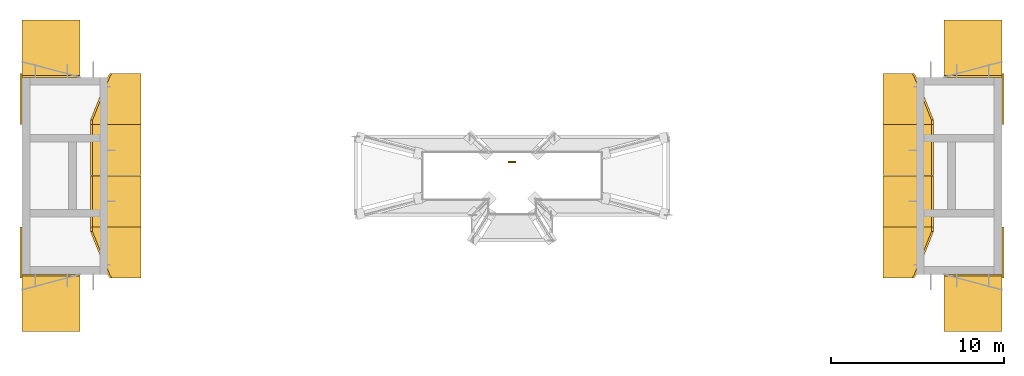
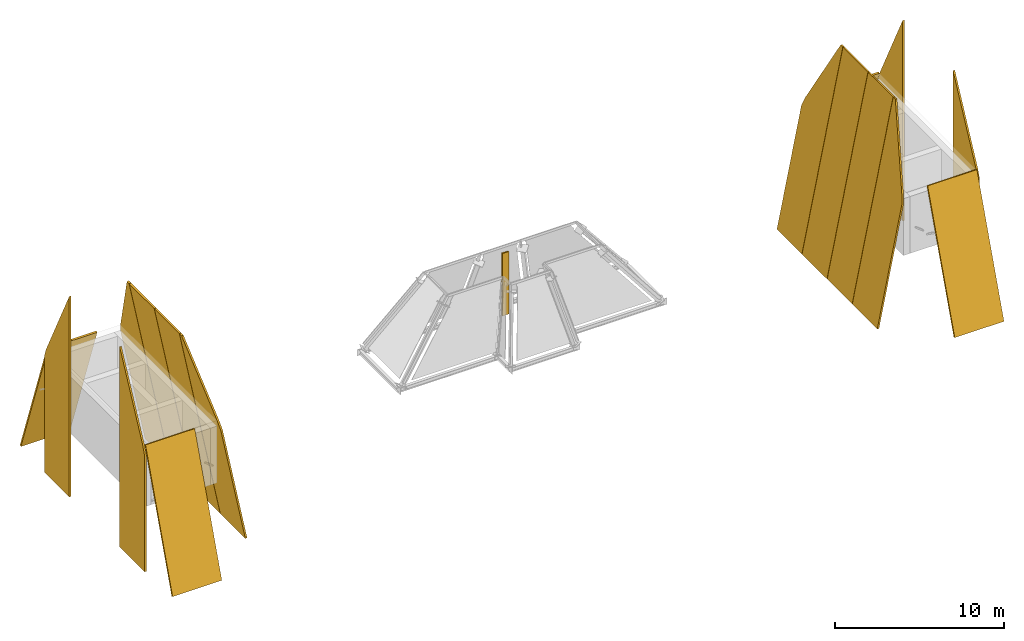
# One storey, part 5 of 5: 16 coverings, 1 railing.
"""IFC4 building model written with IfcOpenShell, lengths in metres."""

from ifc_helpers import new_model, si_unit, direction, frame, origin, origin_2d, place, context, subcontext, project, spatial, polyline, rectangle, outline, extrude, material, layer, layer_set, type_object, element, save


model = new_model("IFC4")

# Units and contexts
model_context = context("Model", 3, precision=1e-05, world=origin(), true_north=direction((0.0, 1.0)))
body_context = subcontext(model_context, "Body", "Model", "MODEL_VIEW")
ifc_project = project(units=[si_unit("LENGTHUNIT", "METRE"), si_unit("AREAUNIT", "SQUARE_METRE"), si_unit("VOLUMEUNIT", "CUBIC_METRE"), si_unit("PLANEANGLEUNIT", "RADIAN"), si_unit("MASSUNIT", "GRAM", prefix="KILO")], contexts=[model_context])

# Site, building, storey
site_placement = place(None, origin())
site = spatial("IfcSite", under=ifc_project, at=site_placement, CompositionType="ELEMENT")
building_placement = place(site_placement, origin())
building = spatial("IfcBuilding", under=site, at=building_placement, Name="Perihelion Cross Residences", CompositionType="ELEMENT")
storey_placement = place(building_placement, frame((0.0, 0.0, 316.800048828125)))
storey = spatial("IfcBuildingStorey", under=building, at=storey_placement, Name="L80", CompositionType="ELEMENT", Elevation=316.800048828125)

# Railing
ifc_material_1 = material(Name="Galvanised steel S355", Category="steel")
railing_type = type_object("IfcRailingType", Name="Fixed access ladder", PredefinedType="NOTDEFINED", material=ifc_material_1)
railing_placement = place(storey_placement, frame((0.0, 0.800048828125, 0.0), z_axis=(0.0, 0.0, 1.0), x_axis=(1.0, 0.0, 0.0)))
element("IfcRailing", 1, at=railing_placement, inside=storey, type_object=railing_type, Name="Fixed access ladder", PredefinedType="NOTDEFINED", context=body_context, shape_type="SweptSolid", body=[
    extrude(rectangle(XDim=0.449951171875, YDim=0.10009765625, at=origin_2d()), origin(), (0.0, 0.0, 1.0), 4.5),
])

# Coverings
ifc_material_2 = material(Name="Bronze anodised aluminium", Category="aluminium")
ifc_layer_1 = layer(ifc_material_2, 0.1201171875)
ifc_layer_set_1 = layer_set([ifc_layer_1], Name="Pylon facet panel, crown face")
covering_type_1 = type_object("IfcCoveringType", Name="Pylon facet panel, crown face", PredefinedType="CLADDING", material=ifc_layer_set_1)
covering_1_placement = place(storey_placement, frame((24.271728515625, -3.226318359375, 9.470947265625), z_axis=(-0.980583794769, -3.326446e-06, 0.196100539074), x_axis=(-3.261859e-06, 0.999999999994, 6.52318e-07)))
element("IfcCovering", 2, at=covering_1_placement, inside=storey, type_object=covering_type_1, Name="Pylon facet panel, east stack, crown face", PredefinedType="CLADDING", context=body_context, shape_type="SweptSolid", body=[
    extrude(outline(polyline([(0.0, 0.0), (0.24975585937361822, 0.0), (0.24975585948906803, 14.223686589503966), (-2.6970214842446287, 14.223686589503966), (-2.6970214845370566, 5.686075162845981), (-2.473632812219374, 5.04548976708438), (0.0, 0.0)])), origin(), (0.0, 0.0, -1.0), 0.1201171875),
])
for number, where, z_axis, x_axis, name in (
    (3, (24.271728515625, -0.010009765625, 9.470947265625), (-0.980583316274, 0.0, 0.196102931759), (-0.196102931759, 0.0, -0.980583316274), "Pylon facet panel, east stack, crown face"),
    (4, (24.271728515625, 2.956787109375, 9.470947265625), (-0.980583316274, 0.0, 0.196102931759), (-0.196102931759, 0.0, -0.980583316274), "Pylon facet panel, east stack, crown face"),
):
    element("IfcCovering", number, at=place(storey_placement, frame(where, z_axis=z_axis, x_axis=x_axis)), inside=storey, type_object=covering_type_1, Name=name, PredefinedType="CLADDING", context=body_context, shape_type="SweptSolid", body=[
        extrude(outline(polyline([(0.0, 0.0), (14.223686589546308, 0.0), (14.223686589546308, 2.94677734375), (0.0, 2.94677734375), (0.0, 0.0)])), origin(), (0.0, 0.0, -1.0), 0.1201171875),
    ])
covering_2_placement = place(storey_placement, frame((24.271728515625, 3.226318359375, 9.470947265625), z_axis=(-0.980583794769, 3.326446e-06, 0.196100539074), x_axis=(-0.176076425698, 0.440207939445, -0.880462413941)))
element("IfcCovering", 5, at=covering_2_placement, inside=storey, type_object=covering_type_1, Name="Pylon facet panel, east stack, crown face", PredefinedType="CLADDING", context=body_context, shape_type="SweptSolid", body=[
    extrude(outline(polyline([(0.0, 0.0), (5.619237161701, 0.0), (6.292753601757491, 0.0814110137299342), (13.958639530441536, 3.8397353479252856), (12.661444747945865, 6.485634516413803), (-0.10994451221980707, 0.2242547513971627), (0.0, 0.0)])), origin(), (0.0, 0.0, -1.0), 0.1201171875),
])
covering_3_placement = place(storey_placement, frame((-23.2822265625, -5.699951171875, 4.5234375), z_axis=(0.980583794769, -3.326446e-06, 0.196100539074), x_axis=(0.185163503509, -0.329278393972, -0.925899679356)))
element("IfcCovering", 6, at=covering_3_placement, inside=storey, type_object=covering_type_1, Name="Pylon facet panel, west stack, crown face", PredefinedType="CLADDING", context=body_context, shape_type="SweptSolid", body=[
    extrude(outline(polyline([(0.0, 0.0), (0.6784188589528621, 0.0), (8.739912318879135, 2.8112509792202633), (7.769602207735489, 5.593695049054306), (-5.6608704020090785, 0.9101423723636872), (-5.578631193748934, 0.6743146769668169), (0.0, 0.0)])), origin(), (0.0, 0.0, -1.0), 0.1201171875),
])
for number, where, z_axis, x_axis, name in (
    (7, (-24.271728515625, -2.956787109375, 9.470947265625), (0.980583316274, 0.0, 0.196102931759), (0.196102931759, 0.0, -0.980583316274), "Pylon facet panel, west stack, crown face"),
    (8, (-24.271728515625, 0.010009765625, 9.470947265625), (0.980583316274, 0.0, 0.196102931759), (0.196102931759, 0.0, -0.980583316274), "Pylon facet panel, west stack, crown face"),
):
    element("IfcCovering", number, at=place(storey_placement, frame(where, z_axis=z_axis, x_axis=x_axis)), inside=storey, type_object=covering_type_1, Name=name, PredefinedType="CLADDING", context=body_context, shape_type="SweptSolid", body=[
        extrude(outline(polyline([(0.0, 0.0), (14.223686589546308, 0.0), (14.223686589546308, 2.94677734375), (0.0, 2.94677734375), (0.0, 0.0)])), origin(), (0.0, 0.0, -1.0), 0.1201171875),
    ])
covering_4_placement = place(storey_placement, frame((-24.271728515625, 2.9765625, 9.470947265625), z_axis=(0.980583794769, 3.326446e-06, 0.196100539074), x_axis=(0.196100539075, -8e-12, -0.980583794775)))
element("IfcCovering", 9, at=covering_4_placement, inside=storey, type_object=covering_type_1, Name="Pylon facet panel, west stack, crown face", PredefinedType="CLADDING", context=body_context, shape_type="SweptSolid", body=[
    extrude(outline(polyline([(0.0, 0.0), (14.223686589546308, 0.0), (14.223686589480048, 2.9467773437336966), (5.686075162822062, 2.9467773439568266), (5.045489767062275, 2.723388671633945), (-2.0272008131763407e-12, 0.24975585937361822), (0.0, 0.0)])), origin(), (0.0, 0.0, -1.0), 0.1201171875),
])
ifc_material_3 = material(Name="Bronze anodised aluminium", Category="aluminium")
ifc_layer_2 = layer(ifc_material_3, 0.1201171875)
ifc_layer_set_2 = layer_set([ifc_layer_2], Name="Pylon facet panel, lower flank")
covering_type_2 = type_object("IfcCoveringType", Name="Pylon facet panel, lower flank", PredefinedType="CLADDING", material=ifc_layer_set_2)
for number, where, z_axis, x_axis, name in (
    (10, (28.340087890625, 5.81298828125, 4.5400390625), (0.0, 0.942208235916, 0.335027819997), (0.0, 0.335027819997, -0.942208235916), "Pylon facet panel, east stack, north flank, lower"),
    (11, (24.985107421875, -5.81298828125, 4.5400390625), (0.0, -0.942208235916, 0.335027819997), (0.0, -0.335027819997, -0.942208235916), "Pylon facet panel, east stack, south flank, lower"),
    (12, (-24.985107421875, 5.81298828125, 4.5400390625), (0.0, 0.942208235916, 0.335027819997), (0.0, 0.335027819997, -0.942208235916), "Pylon facet panel, west stack, north flank, lower"),
    (13, (-28.340087890625, -5.81298828125, 4.5400390625), (0.0, -0.942208235916, 0.335027819997), (0.0, -0.335027819997, -0.942208235916), "Pylon facet panel, west stack, south flank, lower"),
):
    element("IfcCovering", number, at=place(storey_placement, frame(where, z_axis=z_axis, x_axis=x_axis)), inside=storey, type_object=covering_type_2, Name=name, PredefinedType="CLADDING", context=body_context, shape_type="SweptSolid", body=[
        extrude(outline(polyline([(0.0, 0.0), (9.552028582351898, 0.0), (9.552028582367468, 3.3549804687084532), (0.0, 3.35498046875), (0.0, 0.0)])), origin(), (0.0, 0.0, -1.0), 0.1201171875),
    ])
ifc_material_4 = material(Name="Bronze anodised aluminium", Category="aluminium")
ifc_layer_3 = layer(ifc_material_4, 0.1201171875)
ifc_layer_set_3 = layer_set([ifc_layer_3], Name="Pylon facet panel, outer end")
covering_type_3 = type_object("IfcCoveringType", Name="Pylon facet panel, outer end", PredefinedType="CLADDING", material=ifc_layer_set_3)
covering_5_placement = place(storey_placement, frame((28.469970703125, -5.92333984375, 3.871826171875), z_axis=(1.0, 0.0, 0.0), x_axis=(0.0, 0.0, -1.0)))
element("IfcCovering", 14, at=covering_5_placement, inside=storey, type_object=covering_type_3, Name="Pylon facet panel, east stack, outer end", PredefinedType="CLADDING", context=body_context, shape_type="SweptSolid", body=[
    extrude(outline(polyline([(0.0, 0.0), (8.371826171875, 0.0), (8.371826171875, 2.94677734375), (-6.07470703125, 2.94677734375), (-0.628173828125, 0.223388671875), (0.0, 0.0)])), origin(), (0.0, 0.0, -1.0), 0.1201171875),
])
covering_6_placement = place(storey_placement, frame((28.469970703125, 5.92333984375, -4.5), z_axis=(1.0, 0.0, 0.0), x_axis=(0.0, 0.0, 1.0)))
element("IfcCovering", 15, at=covering_6_placement, inside=storey, type_object=covering_type_3, Name="Pylon facet panel, east stack, outer end", PredefinedType="CLADDING", context=body_context, shape_type="SweptSolid", body=[
    extrude(outline(polyline([(0.0, 0.0), (8.371826171875, 0.0), (9.0, 0.223388671875), (14.446533203125, 2.94677734375), (0.0, 2.94677734375), (0.0, 0.0)])), origin(), (0.0, 0.0, -1.0), 0.1201171875),
])
covering_7_placement = place(storey_placement, frame((-28.469970703125, -5.699951171875, 4.5), z_axis=(-1.0, 0.0, 0.0), x_axis=(0.0, 0.447229632349, 0.894419172396)))
element("IfcCovering", 16, at=covering_7_placement, inside=storey, type_object=covering_type_3, Name="Pylon facet panel, west stack, outer end", PredefinedType="CLADDING", context=body_context, shape_type="SweptSolid", body=[
    extrude(outline(polyline([(0.0, 0.0), (6.089463834430759, 0.0), (-6.831792437095058, 6.460917733151216), (-8.149678585154733, 3.825263580119993), (-0.6617567490657781, 0.08113483918259948), (0.0, 0.0)])), origin(), (0.0, 0.0, -1.0), 0.1201171875),
])
covering_8_placement = place(storey_placement, frame((-28.469970703125, 2.9765625, -4.5), z_axis=(-1.0, 0.0, 0.0), x_axis=(0.0, 0.0, 1.0)))
element("IfcCovering", 17, at=covering_8_placement, inside=storey, type_object=covering_type_3, Name="Pylon facet panel, west stack, outer end", PredefinedType="CLADDING", context=body_context, shape_type="SweptSolid", body=[
    extrude(outline(polyline([(0.0, 0.0), (14.446533203125, 0.0), (9.0, 2.723388671875), (8.371826171875, 2.94677734375), (0.0, 2.94677734375), (0.0, 0.0)])), origin(), (0.0, 0.0, -1.0), 0.1201171875),
])

save(model, "model.ifc")
